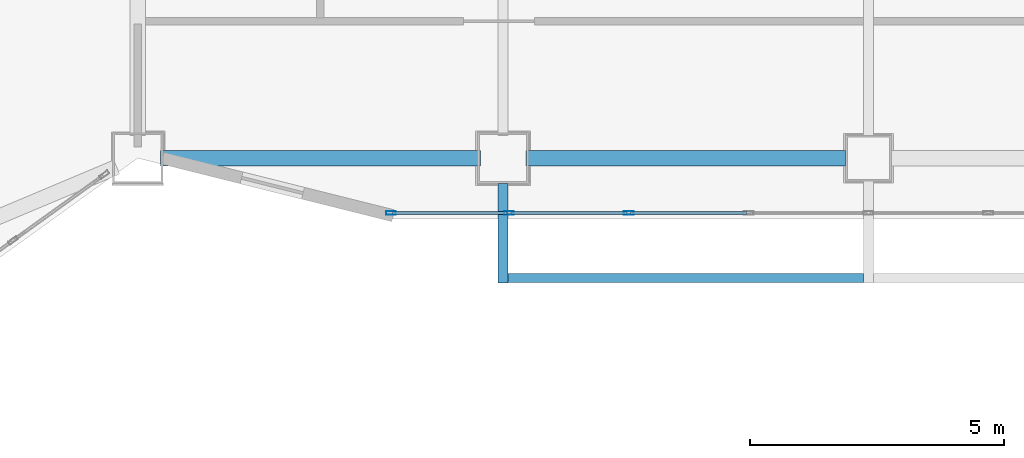
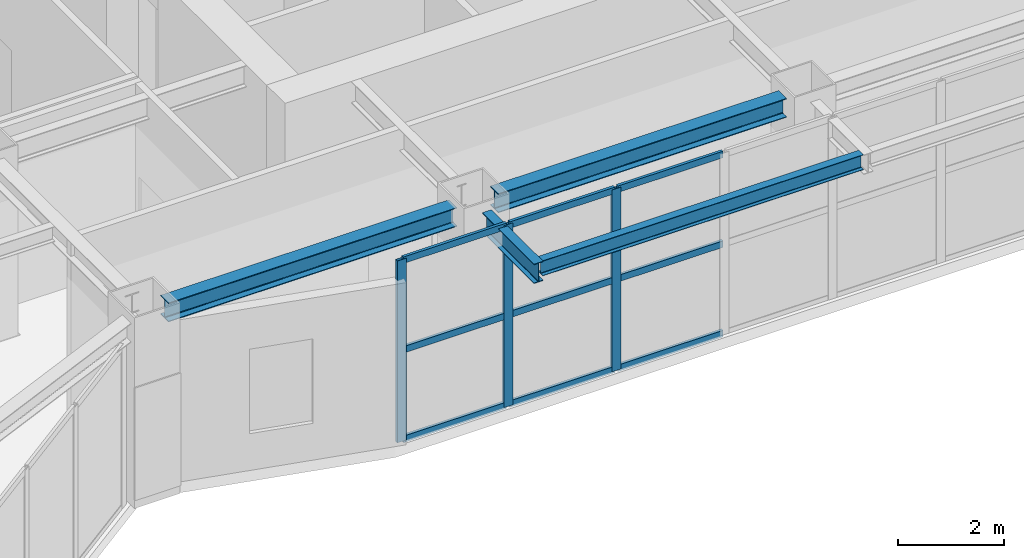
# One storey, part 4 of 19: 12 members, 4 beams, 1 element without a shape of its own.
"""IFC4 building model written with IfcOpenShell, lengths in metres."""

from ifc_helpers import new_model, si_unit, direction, frame, origin, origin_2d, place, context, subcontext, project, spatial, hollow_rectangle, i_section, extrude, material, layer, layer_set, material_profile, profile_set, type_object, element, aggregate, save


model = new_model("IFC4")

# Units and contexts
model_context = context("Model", 3, precision=1e-05, world=origin(), true_north=direction((0.0, 1.0)))
body_context = subcontext(model_context, "Body", "Model", "MODEL_VIEW")
ifc_project = project(units=[si_unit("LENGTHUNIT", "METRE"), si_unit("AREAUNIT", "SQUARE_METRE"), si_unit("VOLUMEUNIT", "CUBIC_METRE"), si_unit("PLANEANGLEUNIT", "RADIAN"), si_unit("MASSUNIT", "GRAM", prefix="KILO")], contexts=[model_context])

# Site, building, storey
site_placement = place(None, origin())
site = spatial("IfcSite", under=ifc_project, at=site_placement, CompositionType="ELEMENT")
building_placement = place(site_placement, origin())
building = spatial("IfcBuilding", under=site, at=building_placement, Name="Haolan Belvedere Tower", CompositionType="ELEMENT")
storey_placement = place(building_placement, frame((0.0, 0.0, 94.0)))
storey = spatial("IfcBuildingStorey", under=building, at=storey_placement, Name="L23", CompositionType="ELEMENT", Elevation=94.0)

# Beams
ifc_material_1 = material(Name="Steel Q355B", Category="steel")
ifc_material_profile_1 = material_profile(ifc_material_1, i_section(OverallWidth=0.300048828125, OverallDepth=0.43994140625, WebThickness=0.010986328125, FlangeThickness=0.01806640625, FilletRadius=0.02392578125, at=origin_2d()), Name="Steel Q355B")
ifc_profile_set_1 = profile_set([ifc_material_profile_1], Name="Steel Q355B")
beam_type_1 = type_object("IfcBeamType", Name="BM-HM440x300x11x18", PredefinedType="SPANDREL", material=ifc_profile_set_1)
for number, where, z_axis, x_axis, name in (
    (1, (24.449951171875, 21.60009765625, 3.97998046875), (1.0, 0.0, 0.0), (0.0, 1.0, 0.0), "L23 spandrel girder MC-T3-SW-MC-T3-S1"),
    (2, (31.64990234375, 21.60009765625, 3.97998046875), (1.0, 0.0, 0.0), (0.0, 1.0, 0.0), "L23 spandrel girder MC-T3-S1-TC-T3-SM"),
):
    element("IfcBeam", number, at=place(storey_placement, frame(where, z_axis=z_axis, x_axis=x_axis)), inside=storey, type_object=beam_type_1, Name=name, PredefinedType="SPANDREL", context=body_context, shape_type="SweptSolid", body=[
        extrude(i_section(OverallWidth=0.300048828125, OverallDepth=0.43994140625, WebThickness=0.010986328125, FlangeThickness=0.01806640625, FilletRadius=0.02392578125, at=origin_2d()), origin(), (0.0, 0.0, 1.0), 6.300048828125),
    ])
ifc_material_profile_2 = material_profile(ifc_material_1, i_section(OverallWidth=0.175048828125, OverallDepth=0.35009765625, WebThickness=0.007080078125, FlangeThickness=0.010986328125, FilletRadius=0.012939453125, at=origin_2d()), Name="Steel Q355B")
ifc_profile_set_2 = profile_set([ifc_material_profile_2], Name="Steel Q355B")
beam_type_2 = type_object("IfcBeamType", Name="BM-HN350x175x7x11", PredefinedType="JOIST", material=ifc_profile_set_2)
beam_1_placement = place(storey_placement, frame((31.300048828125, 19.239990234375, 3.9951171875), z_axis=(1.0, 0.0, 0.0), x_axis=(0.0, 1.0, 0.0)))
element("IfcBeam", 3, at=beam_1_placement, inside=storey, type_object=beam_type_2, Name="L24 tree-balcony front trimmer beam 1", PredefinedType="BEAM", context=body_context, shape_type="SweptSolid", body=[
    extrude(i_section(OverallWidth=0.175048828125, OverallDepth=0.35009765625, WebThickness=0.007080078125, FlangeThickness=0.010986328125, FilletRadius=0.012939453125, at=origin_2d()), origin(), (0.0, 0.0, 1.0), 7.0),
])
ifc_material_profile_3 = material_profile(ifc_material_1, i_section(OverallWidth=0.199951171875, OverallDepth=0.449951171875, WebThickness=0.009033203125, FlangeThickness=0.013916015625, FilletRadius=0.01611328125, at=origin_2d()), Name="Steel Q355B")
ifc_profile_set_3 = profile_set([ifc_material_profile_3], Name="Steel Q355B")
beam_type_3 = type_object("IfcBeamType", Name="BM-HN450x200x9x14", PredefinedType="BEAM", material=ifc_profile_set_3)
beam_2_placement = place(storey_placement, frame((31.199951171875, 21.10009765625, 3.945068359375), z_axis=(0.0, -1.0, 0.0), x_axis=(1.0, 0.0, 0.0)))
element("IfcBeam", 4, at=beam_2_placement, inside=storey, type_object=beam_type_3, Name="L24 tree-balcony column cantilever MC-T3-S1", PredefinedType="BEAM", context=body_context, shape_type="SweptSolid", body=[
    extrude(i_section(OverallWidth=0.199951171875, OverallDepth=0.449951171875, WebThickness=0.009033203125, FlangeThickness=0.013916015625, FilletRadius=0.01611328125, at=origin_2d()), origin(), (0.0, 0.0, 1.0), 1.960205078125),
])

# Curtain wall, members
ifc_material_2 = material(Name="Anodised champagne-silver aluminium 6063-T6 and Low-E glass", Category="aluminium")
ifc_layer = layer(ifc_material_2, 0.195068359375, Name="Anodised champagne-silver aluminium 6063-T6 and Low-E glass")
ifc_layer_set = layer_set([ifc_layer], Name="Anodised champagne-silver aluminium 6063-T6 and Low-E glass")
curtain_wall_type = type_object("IfcCurtainWallType", Name="CW-SYS-06", PredefinedType="NOTDEFINED", material=ifc_layer_set)
curtain_wall_placement = place(storey_placement, origin())
curtain_wall = element("IfcCurtainWall", 5, at=curtain_wall_placement, inside=storey, type_object=curtain_wall_type, Name="L23 CW-SYS-06 ribbon curtain wall 7.1", PredefinedType="NOTDEFINED")
ifc_material_3 = material(Name="Anodised aluminium 6063-T6", Category="aluminium")
ifc_material_profile_4 = material_profile(ifc_material_3, hollow_rectangle(XDim=0.070068359375, YDim=0.195068359375, WallThickness=0.00390625, at=origin_2d()), Name="Anodised aluminium 6063-T6")
ifc_profile_set_4 = profile_set([ifc_material_profile_4], Name="Anodised aluminium 6063-T6")
member_type_1 = type_object("IfcMemberType", Name="CW-SYS-06-MUL", PredefinedType="MULLION", material=ifc_profile_set_4)
member_1_placement = place(storey_placement, frame((28.98974609375, 20.52001953125, 0.0), z_axis=(0.0, 0.0, 1.0), x_axis=(0.0, 1.0, 0.0)))
member_1 = element("IfcMember", 6, at=member_1_placement, type_object=member_type_1, Name="CW-06 mullion 1", PredefinedType="MULLION", context=body_context, shape_type="SweptSolid", body=[
    extrude(hollow_rectangle(XDim=0.070068359375, YDim=0.195068359375, WallThickness=0.00390625, at=origin_2d()), origin(), (0.0, 0.0, 1.0), 4.199951171875),
])
member_2_placement = place(storey_placement, frame((31.316162109375, 20.52001953125, 0.0), z_axis=(0.0, 0.0, 1.0), x_axis=(0.0, 1.0, 0.0)))
member_2 = element("IfcMember", 7, at=member_2_placement, type_object=member_type_1, Name="CW-06 mullion 2", PredefinedType="MULLION", context=body_context, shape_type="SweptSolid", body=[
    extrude(hollow_rectangle(XDim=0.070068359375, YDim=0.195068359375, WallThickness=0.00390625, at=origin_2d()), origin(), (0.0, 0.0, 1.0), 4.199951171875),
])
member_3_placement = place(storey_placement, frame((33.677490234375, 20.52001953125, 0.0), z_axis=(0.0, 0.0, 1.0), x_axis=(0.0, 1.0, 0.0)))
member_3 = element("IfcMember", 8, at=member_3_placement, type_object=member_type_1, Name="CW-06 mullion 3", PredefinedType="MULLION", context=body_context, shape_type="SweptSolid", body=[
    extrude(hollow_rectangle(XDim=0.070068359375, YDim=0.195068359375, WallThickness=0.00390625, at=origin_2d()), origin(), (0.0, 0.0, 1.0), 4.199951171875),
])
ifc_material_profile_5 = material_profile(ifc_material_3, hollow_rectangle(XDim=0.06494140625, YDim=0.14990234375, WallThickness=0.00390625, at=origin_2d()), Name="Anodised aluminium 6063-T6")
ifc_profile_set_5 = profile_set([ifc_material_profile_5], Name="Anodised aluminium 6063-T6")
member_type_2 = type_object("IfcMemberType", Name="CW-SYS-06-TRN", PredefinedType="USERDEFINED", material=ifc_profile_set_5)
member_4_placement = place(storey_placement, frame((29.02490234375, 20.52001953125, 0.032470703125), z_axis=(1.0, 0.0, 0.0), x_axis=(0.0, 1.0, 0.0)))
member_4 = element("IfcMember", 9, at=member_4_placement, type_object=member_type_2, Name="CW-06 transom 1.1", ObjectType="TRANSOM", PredefinedType="USERDEFINED", context=body_context, shape_type="SweptSolid", body=[
    extrude(hollow_rectangle(XDim=0.06494140625, YDim=0.14990234375, WallThickness=0.00390625, at=origin_2d()), origin(), (0.0, 0.0, 1.0), 2.256103515625),
])
member_5_placement = place(storey_placement, frame((29.02490234375, 20.52001953125, 2.10009765625), z_axis=(1.0, 0.0, 0.0), x_axis=(0.0, 1.0, 0.0)))
member_5 = element("IfcMember", 10, at=member_5_placement, type_object=member_type_2, Name="CW-06 transom 1.2", ObjectType="TRANSOM", PredefinedType="USERDEFINED", context=body_context, shape_type="SweptSolid", body=[
    extrude(hollow_rectangle(XDim=0.06494140625, YDim=0.14990234375, WallThickness=0.00390625, at=origin_2d()), origin(), (0.0, 0.0, 1.0), 2.256103515625),
])
member_6_placement = place(storey_placement, frame((29.02490234375, 20.52001953125, 4.16748046875), z_axis=(1.0, 0.0, 0.0), x_axis=(0.0, 1.0, 0.0)))
member_6 = element("IfcMember", 11, at=member_6_placement, type_object=member_type_2, Name="CW-06 transom 1.3", ObjectType="TRANSOM", PredefinedType="USERDEFINED", context=body_context, shape_type="SweptSolid", body=[
    extrude(hollow_rectangle(XDim=0.06494140625, YDim=0.14990234375, WallThickness=0.00390625, at=origin_2d()), origin(), (0.0, 0.0, 1.0), 2.256103515625),
])
member_7_placement = place(storey_placement, frame((31.35107421875, 20.52001953125, 0.032470703125), z_axis=(1.0, 0.0, 0.0), x_axis=(0.0, 1.0, 0.0)))
member_7 = element("IfcMember", 12, at=member_7_placement, type_object=member_type_2, Name="CW-06 transom 2.1", ObjectType="TRANSOM", PredefinedType="USERDEFINED", context=body_context, shape_type="SweptSolid", body=[
    extrude(hollow_rectangle(XDim=0.06494140625, YDim=0.14990234375, WallThickness=0.00390625, at=origin_2d()), origin(), (0.0, 0.0, 1.0), 2.291259765625),
])
member_8_placement = place(storey_placement, frame((31.35107421875, 20.52001953125, 2.10009765625), z_axis=(1.0, 0.0, 0.0), x_axis=(0.0, 1.0, 0.0)))
member_8 = element("IfcMember", 13, at=member_8_placement, type_object=member_type_2, Name="CW-06 transom 2.2", ObjectType="TRANSOM", PredefinedType="USERDEFINED", context=body_context, shape_type="SweptSolid", body=[
    extrude(hollow_rectangle(XDim=0.06494140625, YDim=0.14990234375, WallThickness=0.00390625, at=origin_2d()), origin(), (0.0, 0.0, 1.0), 2.291259765625),
])
member_9_placement = place(storey_placement, frame((31.35107421875, 20.52001953125, 4.16748046875), z_axis=(1.0, 0.0, 0.0), x_axis=(0.0, 1.0, 0.0)))
member_9 = element("IfcMember", 14, at=member_9_placement, type_object=member_type_2, Name="CW-06 transom 2.3", ObjectType="TRANSOM", PredefinedType="USERDEFINED", context=body_context, shape_type="SweptSolid", body=[
    extrude(hollow_rectangle(XDim=0.06494140625, YDim=0.14990234375, WallThickness=0.00390625, at=origin_2d()), origin(), (0.0, 0.0, 1.0), 2.291259765625),
])
member_10_placement = place(storey_placement, frame((33.71240234375, 20.52001953125, 0.032470703125), z_axis=(1.0, 0.0, 0.0), x_axis=(0.0, 1.0, 0.0)))
member_10 = element("IfcMember", 15, at=member_10_placement, type_object=member_type_2, Name="CW-06 transom 3.1", ObjectType="TRANSOM", PredefinedType="USERDEFINED", context=body_context, shape_type="SweptSolid", body=[
    extrude(hollow_rectangle(XDim=0.06494140625, YDim=0.14990234375, WallThickness=0.00390625, at=origin_2d()), origin(), (0.0, 0.0, 1.0), 2.291259765625),
])
member_11_placement = place(storey_placement, frame((33.71240234375, 20.52001953125, 2.10009765625), z_axis=(1.0, 0.0, 0.0), x_axis=(0.0, 1.0, 0.0)))
member_11 = element("IfcMember", 16, at=member_11_placement, type_object=member_type_2, Name="CW-06 transom 3.2", ObjectType="TRANSOM", PredefinedType="USERDEFINED", context=body_context, shape_type="SweptSolid", body=[
    extrude(hollow_rectangle(XDim=0.06494140625, YDim=0.14990234375, WallThickness=0.00390625, at=origin_2d()), origin(), (0.0, 0.0, 1.0), 2.291259765625),
])
member_12_placement = place(storey_placement, frame((33.71240234375, 20.52001953125, 4.16748046875), z_axis=(1.0, 0.0, 0.0), x_axis=(0.0, 1.0, 0.0)))
member_12 = element("IfcMember", 17, at=member_12_placement, type_object=member_type_2, Name="CW-06 transom 3.3", ObjectType="TRANSOM", PredefinedType="USERDEFINED", context=body_context, shape_type="SweptSolid", body=[
    extrude(hollow_rectangle(XDim=0.06494140625, YDim=0.14990234375, WallThickness=0.00390625, at=origin_2d()), origin(), (0.0, 0.0, 1.0), 2.291259765625),
])
aggregate(curtain_wall, [member_1, member_2, member_3, member_4, member_5, member_6, member_7, member_8, member_9, member_10, member_11, member_12])

save(model, "model.ifc")
